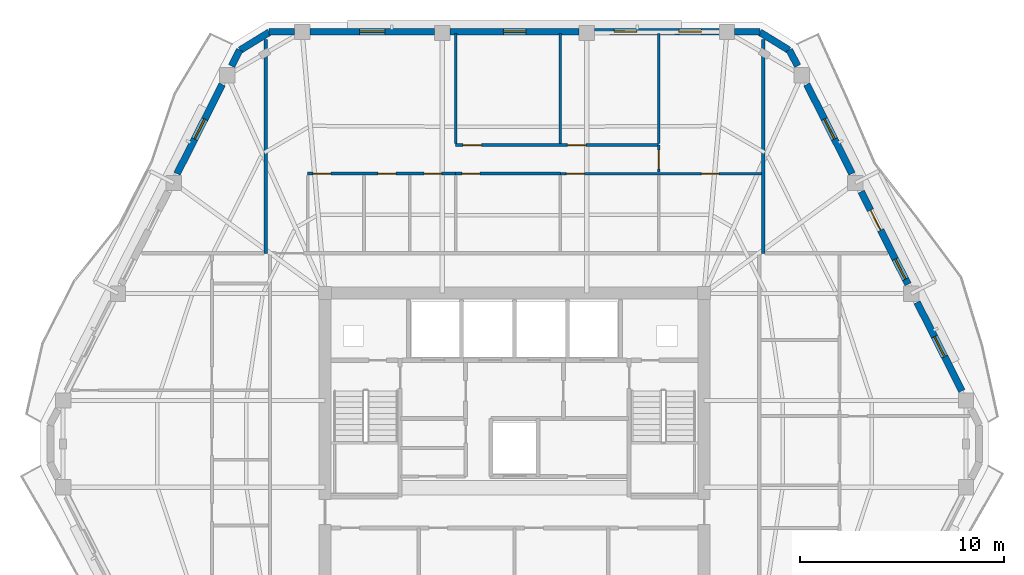
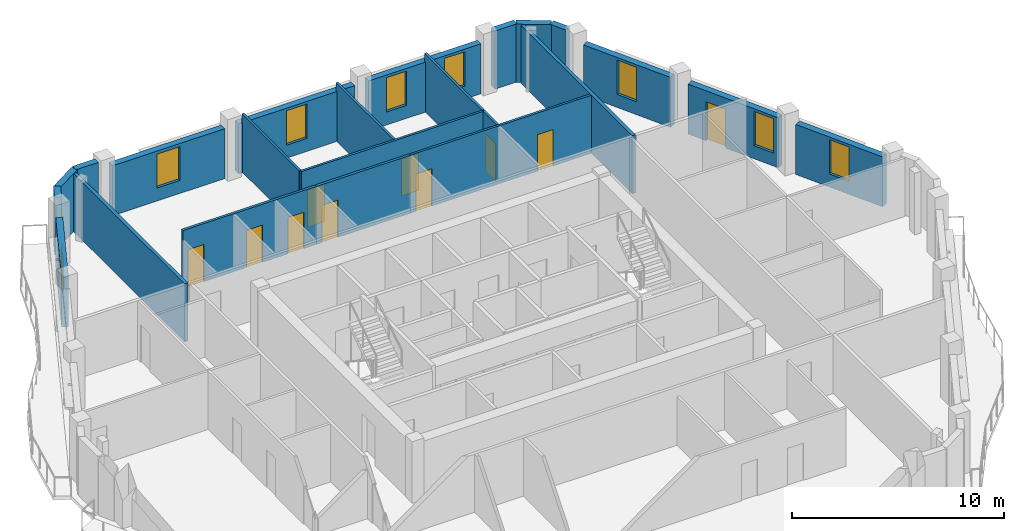
# One storey, part 7 of 12: 23 walls, 10 doors, 8 windows, 18 openings.
"""IFC4 building model written with IfcOpenShell, lengths in metres."""

from ifc_helpers import new_model, si_unit, direction, frame, frame_2d, origin, place, context, subcontext, project, spatial, rectangle, extrude, material, layer, layer_set, type_object, element, fill, save


model = new_model("IFC4")

# Units and contexts
model_context = context("Model", 3, precision=1e-05, world=origin(), true_north=direction((0.0, 1.0)))
body_context = subcontext(model_context, "Body", "Model", "MODEL_VIEW")
ifc_project = project(units=[si_unit("LENGTHUNIT", "METRE"), si_unit("AREAUNIT", "SQUARE_METRE"), si_unit("VOLUMEUNIT", "CUBIC_METRE"), si_unit("PLANEANGLEUNIT", "RADIAN"), si_unit("MASSUNIT", "GRAM", prefix="KILO")], contexts=[model_context])

# Site, building, storey
site_placement = place(None, origin())
site = spatial("IfcSite", under=ifc_project, at=site_placement, CompositionType="ELEMENT")
building_placement = place(site_placement, origin())
building = spatial("IfcBuilding", under=site, at=building_placement, Name="Cinnabar Lancet Tower", CompositionType="ELEMENT")
storey_placement = place(building_placement, frame((0.0, 0.0, 210.949951171875)))
storey = spatial("IfcBuildingStorey", under=building, at=storey_placement, Name="L56", CompositionType="ELEMENT", Elevation=210.949951171875)

# Walls
ifc_material_1 = material(Name="Fire-rated twin-frame acoustic drywall", Category="gypsum")
ifc_layer_1 = layer(ifc_material_1, 0.179931640625)
ifc_layer_set_1 = layer_set([ifc_layer_1], Name="Fire-rated twin-frame acoustic drywall")
wall_type_1 = type_object("IfcWallType", Name="ARC-WL-PARTY-180", PredefinedType="PARTITIONING", material=ifc_layer_set_1)
for number, where, z_axis, x_axis, name in (
    (1, (20.199951171875, 35.14990234375, 0.0), (0.0, 0.0, 1.0), (0.0, 1.0, 0.0), "PW-L56-NPTY-202"),
    (2, (44.60009765625, 35.14990234375, 0.0), (0.0, 0.0, 1.0), (0.0, 1.0, 0.0), "PW-L56-NPTY-446"),
):
    element("IfcWall", number, at=place(storey_placement, frame(where, z_axis=z_axis, x_axis=x_axis)), inside=storey, type_object=wall_type_1, Name=name, PredefinedType="PARTITIONING", context=body_context, shape_type="SweptSolid", body=[
        extrude(rectangle(XDim=10.482177734375, YDim=0.179931640625, at=frame_2d((5.2412109375, 0.0))), origin(), (0.0, 0.0, 1.0), 3.35009765625),
    ])

# Wall, openings, doors
ifc_material_2 = material(Name="Gypsum plasterboard stud partition", Category="gypsum")
ifc_layer_2 = layer(ifc_material_2, 0.125)
ifc_layer_set_2 = layer_set([ifc_layer_2], Name="Gypsum plasterboard stud partition")
wall_type_2 = type_object("IfcWallType", Name="ARC-WL-UNIT-125", PredefinedType="PARTITIONING", material=ifc_layer_set_2)
wall_1_placement = place(storey_placement, frame((34.64306640625, 39.06201171875, 0.0), z_axis=(0.0, 0.0, 1.0), x_axis=(1.0, 0.0, 0.0)))
wall_1 = element("IfcWall", 3, at=wall_1_placement, inside=storey, type_object=wall_type_2, Name="UW-L56-N01-SP2", PredefinedType="PARTITIONING", context=body_context, shape_type="SweptSolid", body=[
    extrude(rectangle(XDim=9.86181640625, YDim=0.125, at=frame_2d((4.930908203125, 0.0))), origin(), (0.0, 0.0, 1.0), 3.35009765625),
])
opening_1_placement = place(wall_1_placement, frame((6.919921875, 0.0, 0.0)))
opening_1 = element("IfcOpeningElement", 4, at=opening_1_placement, cuts=wall_1, Name="Opening BD-01", PredefinedType="OPENING", context=body_context, shape_type="SweptSolid", body=[
    extrude(rectangle(XDim=0.860107421875, YDim=2.10009765625, at=frame_2d((0.43017578125, 1.050048828125))), frame((0.0, 0.072509765625, 0.0), z_axis=(0.0, -1.0, 0.0), x_axis=(1.0, 0.0, 0.0)), (0.0, 0.0, 1.0), 0.14501953125),
])
opening_2_placement = place(wall_1_placement, frame((0.300048828125, 0.0, 0.0)))
opening_2 = element("IfcOpeningElement", 5, at=opening_2_placement, cuts=wall_1, Name="Opening RD-02", PredefinedType="OPENING", context=body_context, shape_type="SweptSolid", body=[
    extrude(rectangle(XDim=0.8798828125, YDim=2.14990234375, at=frame_2d((0.43994140625, 1.074951171875))), frame((0.0, 0.072509765625, 0.0), z_axis=(0.0, -1.0, 0.0), x_axis=(1.0, 0.0, 0.0)), (0.0, 0.0, 1.0), 0.14501953125),
])
ifc_material_3 = material(Name="Moisture-resistant timber bathroom door", Category="wood")
door_type_1 = type_object("IfcDoorType", Name="ARC-DR-BATH", OperationType="NOTDEFINED", PredefinedType="DOOR", material=ifc_material_3)
door_1_placement = place(opening_1_placement, origin())
door_1 = element("IfcDoor", 6, at=door_1_placement, inside=storey, type_object=door_type_1, Name="DR-L56-N01-ENS", OperationType="SINGLE_SWING_RIGHT", OverallHeight=2.10009765625, OverallWidth=0.860107421875, PredefinedType="DOOR", context=body_context, shape_type="SweptSolid", body=[
    extrude(rectangle(XDim=0.860107421875, YDim=2.10009765625, at=frame_2d((0.43017578125, 1.050048828125))), frame((0.0, 0.02490234375, 0.0), z_axis=(0.0, -1.0, 0.0), x_axis=(1.0, 0.0, 0.0)), (0.0, 0.0, 1.0), 0.050048828125),
])
fill(opening_1, door_1)
ifc_material_4 = material(Name="Engineered timber study door", Category="wood")
door_type_2 = type_object("IfcDoorType", Name="ARC-DR-STUDY", OperationType="NOTDEFINED", PredefinedType="DOOR", material=ifc_material_4)
door_2_placement = place(opening_2_placement, origin())
door_2 = element("IfcDoor", 7, at=door_2_placement, inside=storey, type_object=door_type_2, Name="DR-L56-N01-DRS", OperationType="SINGLE_SWING_LEFT", OverallHeight=2.14990234375, OverallWidth=0.8798828125, PredefinedType="DOOR", context=body_context, shape_type="SweptSolid", body=[
    extrude(rectangle(XDim=0.8798828125, YDim=2.14990234375, at=frame_2d((0.43994140625, 1.074951171875))), frame((0.0, 0.02490234375, 0.0), z_axis=(0.0, -1.0, 0.0), x_axis=(1.0, 0.0, 0.0)), (0.0, 0.0, 1.0), 0.050048828125),
])
fill(opening_2, door_2)

# Wall
wall_2_placement = place(storey_placement, frame((29.513916015625, 40.527099609375, 0.0), z_axis=(0.0, 0.0, 1.0), x_axis=(0.0, 1.0, 0.0)))
element("IfcWall", 8, at=wall_2_placement, inside=storey, type_object=wall_type_2, Name="UW-L56-N01-BD2W", PredefinedType="PARTITIONING", context=body_context, shape_type="SweptSolid", body=[
    extrude(rectangle(XDim=5.407958984375, YDim=0.125, at=frame_2d((2.7041015625, 0.0))), origin(), (0.0, 0.0, 1.0), 3.35009765625),
])

# Wall, openings, doors
wall_3_placement = place(storey_placement, frame((29.513916015625, 40.4619140625, 0.0), z_axis=(0.0, 0.0, 1.0), x_axis=(1.0, 0.0, 0.0)))
wall_3 = element("IfcWall", 9, at=wall_3_placement, inside=storey, type_object=wall_type_2, Name="UW-L56-N01-HLN", PredefinedType="PARTITIONING", context=body_context, shape_type="SweptSolid", body=[
    extrude(rectangle(XDim=9.95703125, YDim=0.125, at=frame_2d((4.978515625, 0.0))), origin(), (0.0, 0.0, 1.0), 3.35009765625),
])
opening_3_placement = place(wall_3_placement, frame((0.35009765625, 0.0, 0.0)))
opening_3 = element("IfcOpeningElement", 10, at=opening_3_placement, cuts=wall_3, Name="Opening RD-01", PredefinedType="OPENING", context=body_context, shape_type="SweptSolid", body=[
    extrude(rectangle(XDim=0.919921875, YDim=2.14990234375, at=frame_2d((0.4599609375, 1.074951171875))), frame((0.0, 0.072509765625, 0.0), z_axis=(0.0, -1.0, 0.0), x_axis=(1.0, 0.0, 0.0)), (0.0, 0.0, 1.0), 0.14501953125),
])
opening_4_placement = place(wall_3_placement, frame((5.47900390625, 0.0, 0.0)))
opening_4 = element("IfcOpeningElement", 11, at=opening_4_placement, cuts=wall_3, Name="Opening RD-01", PredefinedType="OPENING", context=body_context, shape_type="SweptSolid", body=[
    extrude(rectangle(XDim=0.919921875, YDim=2.14990234375, at=frame_2d((0.4599609375, 1.074951171875))), frame((0.0, 0.072509765625, 0.0), z_axis=(0.0, -1.0, 0.0), x_axis=(1.0, 0.0, 0.0)), (0.0, 0.0, 1.0), 0.14501953125),
])
ifc_material_5 = material(Name="Engineered timber bedroom door", Category="wood")
door_type_3 = type_object("IfcDoorType", Name="ARC-DR-ROOM", OperationType="NOTDEFINED", PredefinedType="DOOR", material=ifc_material_5)
door_3_placement = place(opening_3_placement, origin())
door_3 = element("IfcDoor", 12, at=door_3_placement, inside=storey, type_object=door_type_3, Name="DR-L56-N01-BD2", OperationType="SINGLE_SWING_RIGHT", OverallHeight=2.14990234375, OverallWidth=0.919921875, PredefinedType="DOOR", context=body_context, shape_type="SweptSolid", body=[
    extrude(rectangle(XDim=0.919921875, YDim=2.14990234375, at=frame_2d((0.4599609375, 1.074951171875))), frame((0.0, 0.02490234375, 0.0), z_axis=(0.0, -1.0, 0.0), x_axis=(1.0, 0.0, 0.0)), (0.0, 0.0, 1.0), 0.050048828125),
])
fill(opening_3, door_3)
door_4_placement = place(opening_4_placement, origin())
door_4 = element("IfcDoor", 13, at=door_4_placement, inside=storey, type_object=door_type_3, Name="DR-L56-N01-BD3", OperationType="SINGLE_SWING_LEFT", OverallHeight=2.14990234375, OverallWidth=0.919921875, PredefinedType="DOOR", context=body_context, shape_type="SweptSolid", body=[
    extrude(rectangle(XDim=0.919921875, YDim=2.14990234375, at=frame_2d((0.4599609375, 1.074951171875))), frame((0.0, 0.02490234375, 0.0), z_axis=(0.0, -1.0, 0.0), x_axis=(1.0, 0.0, 0.0)), (0.0, 0.0, 1.0), 0.050048828125),
])
fill(opening_4, door_4)

# Wall, opening, door
wall_4_placement = place(storey_placement, frame((39.470947265625, 39.132080078125, 0.0), z_axis=(0.0, 0.0, 1.0), x_axis=(0.0, 1.0, 0.0)))
wall_4 = element("IfcWall", 14, at=wall_4_placement, inside=storey, type_object=wall_type_2, Name="UW-L56-N01-MBE", PredefinedType="PARTITIONING", context=body_context, shape_type="SweptSolid", body=[
    extrude(rectangle(XDim=1.329833984375, YDim=0.125, at=frame_2d((0.6650390625, 0.0))), origin(), (0.0, 0.0, 1.0), 3.35009765625),
])
opening_5_placement = place(wall_4_placement, frame((0.159912109375, 0.0, 0.0)))
opening_5 = element("IfcOpeningElement", 15, at=opening_5_placement, cuts=wall_4, Name="Opening RD-01", PredefinedType="OPENING", context=body_context, shape_type="SweptSolid", body=[
    extrude(rectangle(XDim=0.919921875, YDim=2.14990234375, at=frame_2d((0.4599609375, 1.074951171875))), frame((0.0, 0.072509765625, 0.0), z_axis=(0.0, -1.0, 0.0), x_axis=(1.0, 0.0, 0.0)), (0.0, 0.0, 1.0), 0.14501953125),
])
door_5_placement = place(opening_5_placement, origin())
door_5 = element("IfcDoor", 16, at=door_5_placement, inside=storey, type_object=door_type_3, Name="DR-L56-N01-MBD", OperationType="SINGLE_SWING_RIGHT", OverallHeight=2.14990234375, OverallWidth=0.919921875, PredefinedType="DOOR", context=body_context, shape_type="SweptSolid", body=[
    extrude(rectangle(XDim=0.919921875, YDim=2.14990234375, at=frame_2d((0.4599609375, 1.074951171875))), frame((0.0, 0.02490234375, 0.0), z_axis=(0.0, -1.0, 0.0), x_axis=(1.0, 0.0, 0.0)), (0.0, 0.0, 1.0), 0.050048828125),
])
fill(opening_5, door_5)

# Walls
for number, where, z_axis, x_axis, name in (
    (17, (34.64306640625, 40.527099609375, 0.0), (0.0, 0.0, 1.0), (0.0, 1.0, 0.0), "UW-L56-N01-MB2W"),
    (18, (39.470947265625, 40.527099609375, 0.0), (0.0, 0.0, 1.0), (0.0, 1.0, 0.0), "UW-L56-N01-B23W"),
):
    element("IfcWall", number, at=place(storey_placement, frame(where, z_axis=z_axis, x_axis=x_axis)), inside=storey, type_object=wall_type_2, Name=name, PredefinedType="PARTITIONING", context=body_context, shape_type="SweptSolid", body=[
        extrude(rectangle(XDim=5.407958984375, YDim=0.125, at=frame_2d((2.7041015625, 0.0))), origin(), (0.0, 0.0, 1.0), 3.35009765625),
    ])

# Wall, openings, doors
ifc_material_6 = material(Name="Moisture-resistant cement-board plumbing wall", Category="masonry")
ifc_layer_3 = layer(ifc_material_6, 0.139892578125)
ifc_layer_set_3 = layer_set([ifc_layer_3], Name="Moisture-resistant cement-board plumbing wall")
wall_type_3 = type_object("IfcWallType", Name="ARC-WL-WET-140", PredefinedType="PLUMBINGWALL", material=ifc_layer_set_3)
wall_5_placement = place(storey_placement, frame((22.25, 39.06201171875, 0.0), z_axis=(0.0, 0.0, 1.0), x_axis=(1.0, 0.0, 0.0)))
wall_5 = element("IfcWall", 19, at=wall_5_placement, inside=storey, type_object=wall_type_3, Name="UW-L56-N01-SPL", PredefinedType="PLUMBINGWALL", context=body_context, shape_type="SweptSolid", body=[
    extrude(rectangle(XDim=7.263916015625, YDim=0.139892578125, at=frame_2d((3.6318359375, 0.0))), origin(), (0.0, 0.0, 1.0), 3.35009765625),
])
opening_6_placement = place(wall_5_placement, frame((5.712890625, 0.0, 0.0)))
opening_6 = element("IfcOpeningElement", 20, at=opening_6_placement, cuts=wall_5, Name="Opening BD-01", PredefinedType="OPENING", context=body_context, shape_type="SweptSolid", body=[
    extrude(rectangle(XDim=0.860107421875, YDim=2.10009765625, at=frame_2d((0.43017578125, 1.050048828125))), frame((0.0, 0.079833984375, 0.0), z_axis=(0.0, -1.0, 0.0), x_axis=(1.0, 0.0, 0.0)), (0.0, 0.0, 1.0), 0.159912109375),
])
opening_7_placement = place(wall_5_placement, frame((0.260009765625, 0.0, 0.0)))
opening_7 = element("IfcOpeningElement", 21, at=opening_7_placement, cuts=wall_5, Name="Opening RD-02", PredefinedType="OPENING", context=body_context, shape_type="SweptSolid", body=[
    extrude(rectangle(XDim=0.8798828125, YDim=2.14990234375, at=frame_2d((0.43994140625, 1.074951171875))), frame((0.0, 0.079833984375, 0.0), z_axis=(0.0, -1.0, 0.0), x_axis=(1.0, 0.0, 0.0)), (0.0, 0.0, 1.0), 0.159912109375),
])
opening_8_placement = place(wall_5_placement, frame((3.446044921875, 0.0, 0.0)))
opening_8 = element("IfcOpeningElement", 22, at=opening_8_placement, cuts=wall_5, Name="Opening RD-02", PredefinedType="OPENING", context=body_context, shape_type="SweptSolid", body=[
    extrude(rectangle(XDim=0.8798828125, YDim=2.14990234375, at=frame_2d((0.43994140625, 1.074951171875))), frame((0.0, 0.079833984375, 0.0), z_axis=(0.0, -1.0, 0.0), x_axis=(1.0, 0.0, 0.0)), (0.0, 0.0, 1.0), 0.159912109375),
])
door_6_placement = place(opening_6_placement, origin())
door_6 = element("IfcDoor", 23, at=door_6_placement, inside=storey, type_object=door_type_1, Name="DR-L56-N01-BTH", OperationType="SINGLE_SWING_RIGHT", OverallHeight=2.10009765625, OverallWidth=0.860107421875, PredefinedType="DOOR", context=body_context, shape_type="SweptSolid", body=[
    extrude(rectangle(XDim=0.860107421875, YDim=2.10009765625, at=frame_2d((0.43017578125, 1.050048828125))), frame((0.0, 0.02490234375, 0.0), z_axis=(0.0, -1.0, 0.0), x_axis=(1.0, 0.0, 0.0)), (0.0, 0.0, 1.0), 0.050048828125),
])
fill(opening_6, door_6)
door_7_placement = place(opening_7_placement, origin())
door_7 = element("IfcDoor", 24, at=door_7_placement, inside=storey, type_object=door_type_2, Name="DR-L56-N01-KIT", OperationType="SINGLE_SWING_RIGHT", OverallHeight=2.14990234375, OverallWidth=0.8798828125, PredefinedType="DOOR", context=body_context, shape_type="SweptSolid", body=[
    extrude(rectangle(XDim=0.8798828125, YDim=2.14990234375, at=frame_2d((0.43994140625, 1.074951171875))), frame((0.0, 0.02490234375, 0.0), z_axis=(0.0, -1.0, 0.0), x_axis=(1.0, 0.0, 0.0)), (0.0, 0.0, 1.0), 0.050048828125),
])
fill(opening_7, door_7)
door_8_placement = place(opening_8_placement, origin())
door_8 = element("IfcDoor", 25, at=door_8_placement, inside=storey, type_object=door_type_2, Name="DR-L56-N01-STD", OperationType="SINGLE_SWING_LEFT", OverallHeight=2.14990234375, OverallWidth=0.8798828125, PredefinedType="DOOR", context=body_context, shape_type="SweptSolid", body=[
    extrude(rectangle(XDim=0.8798828125, YDim=2.14990234375, at=frame_2d((0.43994140625, 1.074951171875))), frame((0.0, 0.02490234375, 0.0), z_axis=(0.0, -1.0, 0.0), x_axis=(1.0, 0.0, 0.0)), (0.0, 0.0, 1.0), 0.050048828125),
])
fill(opening_8, door_8)

# Wall, opening, door
wall_6_placement = place(storey_placement, frame((29.513916015625, 39.06201171875, 0.0), z_axis=(0.0, 0.0, 1.0), x_axis=(1.0, 0.0, 0.0)))
wall_6 = element("IfcWall", 26, at=wall_6_placement, inside=storey, type_object=wall_type_3, Name="UW-L56-N01-SPM", PredefinedType="PLUMBINGWALL", context=body_context, shape_type="SweptSolid", body=[
    extrude(rectangle(XDim=5.129150390625, YDim=0.139892578125, at=frame_2d((2.564453125, 0.0))), origin(), (0.0, 0.0, 1.0), 3.35009765625),
])
opening_9_placement = place(wall_6_placement, frame((0.300048828125, 0.0, 0.0)))
opening_9 = element("IfcOpeningElement", 27, at=opening_9_placement, cuts=wall_6, Name="Opening RD-02", PredefinedType="OPENING", context=body_context, shape_type="SweptSolid", body=[
    extrude(rectangle(XDim=0.8798828125, YDim=2.14990234375, at=frame_2d((0.43994140625, 1.074951171875))), frame((0.0, 0.079833984375, 0.0), z_axis=(0.0, -1.0, 0.0), x_axis=(1.0, 0.0, 0.0)), (0.0, 0.0, 1.0), 0.159912109375),
])
door_9_placement = place(opening_9_placement, origin())
door_9 = element("IfcDoor", 28, at=door_9_placement, inside=storey, type_object=door_type_2, Name="DR-L56-N01-UTL", OperationType="SINGLE_SWING_LEFT", OverallHeight=2.14990234375, OverallWidth=0.8798828125, PredefinedType="DOOR", context=body_context, shape_type="SweptSolid", body=[
    extrude(rectangle(XDim=0.8798828125, YDim=2.14990234375, at=frame_2d((0.43994140625, 1.074951171875))), frame((0.0, 0.02490234375, 0.0), z_axis=(0.0, -1.0, 0.0), x_axis=(1.0, 0.0, 0.0)), (0.0, 0.0, 1.0), 0.050048828125),
])
fill(opening_9, door_9)

# Walls
ifc_material_7 = material(Name="Cinnabar red clay brick", Category="masonry")
ifc_layer_4 = layer(ifc_material_7, 0.340087890625)
ifc_layer_set_4 = layer_set([ifc_layer_4], Name="Cinnabar red clay brick")
wall_type_4 = type_object("IfcWallType", Name="ENV-WL-BRK-RED-340", PredefinedType="STANDARD", material=ifc_layer_set_4)
for number, where, z_axis, x_axis, name in (
    (29, (45.862060546875, 45.115966796875, 0.0), (0.0, 0.0, 1.0), (-0.851713271379, 0.524008113828, 0.0), "L56 Chamfered Corner Brick Pier 4.1"),
    (30, (20.366943359375, 45.9951171875, 0.0), (0.0, 0.0, 1.0), (-0.851713271379, -0.524008113828, 0.0), "L56 Chamfered Corner Brick Pier 5.1"),
):
    element("IfcWall", number, at=place(storey_placement, frame(where, z_axis=z_axis, x_axis=x_axis)), inside=storey, type_object=wall_type_4, Name=name, PredefinedType="STANDARD", context=body_context, shape_type="SweptSolid", body=[
        extrude(rectangle(XDim=1.677734375, YDim=0.340087890625, at=frame_2d((0.8388671875, 0.0))), origin(), (0.0, 0.0, 1.0), 3.35009765625),
    ])

# Wall, opening, window
wall_7_placement = place(storey_placement, frame((54.35302734375, 28.387939453125, 0.0), z_axis=(0.0, 0.0, 1.0), x_axis=(-0.451545895749, 0.892247893824, 0.0)))
wall_7 = element("IfcWall", 31, at=wall_7_placement, inside=storey, type_object=wall_type_4, Name="L56 Face 3 Masonry Bay Wall 2", PredefinedType="STANDARD", context=body_context, shape_type="SweptSolid", body=[
    extrude(rectangle(XDim=4.885498046875, YDim=0.340087890625, at=frame_2d((2.44287109375, 0.0))), origin(), (0.0, 0.0, 1.0), 2.883056640625),
])
opening_10_placement = place(wall_7_placement, frame((1.89306640625, 0.0, 0.75)))
opening_10 = element("IfcOpeningElement", 32, at=opening_10_placement, cuts=wall_7, Name="Opening WN-04", PredefinedType="OPENING", context=body_context, shape_type="SweptSolid", body=[
    extrude(rectangle(XDim=1.10009765625, YDim=1.98291015625, at=frame_2d((0.550048828125, 0.991455078125))), frame((0.0, 0.179931640625, 0.0), z_axis=(0.0, -1.0, 0.0), x_axis=(1.0, 0.0, 0.0)), (0.0, 0.0, 1.0), 0.360107421875),
])
ifc_material_8 = material(Name="Thermally broken bronze-anodized aluminium tall lancet window", Category="aluminium")
window_type_1 = type_object("IfcWindowType", Name="ENV-WN-LANCET-1100", PartitioningType="SINGLE_PANEL", PredefinedType="WINDOW", material=ifc_material_8)
window_1_placement = place(opening_10_placement, origin())
window_1 = element("IfcWindow", 33, at=window_1_placement, inside=storey, type_object=window_type_1, Name="L56 Face 3 Gothic Lancet Window 2", OverallHeight=1.98291015625, OverallWidth=1.10009765625, PartitioningType="SINGLE_PANEL", PredefinedType="WINDOW", context=body_context, shape_type="SweptSolid", body=[
    extrude(rectangle(XDim=1.10009765625, YDim=1.98291015625, at=frame_2d((0.550048828125, 0.991455078125))), frame((0.0, 0.030029296875, 0.0), z_axis=(0.0, -1.0, 0.0), x_axis=(1.0, 0.0, 0.0)), (0.0, 0.0, 1.0), 0.06005859375),
])
fill(opening_10, window_1)

# Wall, openings, door, window
wall_8_placement = place(storey_placement, frame((51.702880859375, 33.626953125, 0.0), z_axis=(0.0, 0.0, 1.0), x_axis=(-0.451406462707, 0.892318443957, 0.0)))
wall_8 = element("IfcWall", 34, at=wall_8_placement, inside=storey, type_object=wall_type_4, Name="L56 Face 3 Masonry Bay Wall 3", PredefinedType="STANDARD", context=body_context, shape_type="SweptSolid", body=[
    extrude(rectangle(XDim=5.0947265625, YDim=0.340087890625, at=frame_2d((2.54736328125, 0.0))), origin(), (0.0, 0.0, 1.0), 2.883056640625),
])
opening_11_placement = place(wall_8_placement, frame((2.97607421875, 0.0, 0.0)))
opening_11 = element("IfcOpeningElement", 35, at=opening_11_placement, cuts=wall_8, Name="Opening TD-01", PredefinedType="OPENING", context=body_context, shape_type="SweptSolid", body=[
    extrude(rectangle(XDim=1.10009765625, YDim=2.25, at=frame_2d((0.550048828125, 1.125))), frame((0.0, 0.179931640625, 0.0), z_axis=(0.0, -1.0, 0.0), x_axis=(1.0, 0.0, 0.0)), (0.0, 0.0, 1.0), 0.360107421875),
])
opening_12_placement = place(wall_8_placement, frame((0.282958984375, 0.0, 0.75)))
opening_12 = element("IfcOpeningElement", 36, at=opening_12_placement, cuts=wall_8, Name="Opening WN-04", PredefinedType="OPENING", context=body_context, shape_type="SweptSolid", body=[
    extrude(rectangle(XDim=1.10009765625, YDim=1.98291015625, at=frame_2d((0.550048828125, 0.991455078125))), frame((0.0, 0.179931640625, 0.0), z_axis=(0.0, -1.0, 0.0), x_axis=(1.0, 0.0, 0.0)), (0.0, 0.0, 1.0), 0.360107421875),
])
ifc_material_9 = material(Name="Thermally broken low-E glazed balcony terrace door", Category="wood")
door_type_4 = type_object("IfcDoorType", Name="ARC-DR-BALC", OperationType="NOTDEFINED", PredefinedType="DOOR", material=ifc_material_9)
door_10_placement = place(opening_11_placement, origin())
door_10 = element("IfcDoor", 37, at=door_10_placement, inside=storey, type_object=door_type_4, Name="L56 Face 3 Glazed Terrace Door", OperationType="SINGLE_SWING_LEFT", OverallHeight=2.25, OverallWidth=1.10009765625, PredefinedType="DOOR", context=body_context, shape_type="SweptSolid", body=[
    extrude(rectangle(XDim=1.10009765625, YDim=2.25, at=frame_2d((0.550048828125, 1.125))), frame((0.0, 0.02490234375, 0.0), z_axis=(0.0, -1.0, 0.0), x_axis=(1.0, 0.0, 0.0)), (0.0, 0.0, 1.0), 0.050048828125),
])
fill(opening_11, door_10)
window_2_placement = place(opening_12_placement, origin())
window_2 = element("IfcWindow", 38, at=window_2_placement, inside=storey, type_object=window_type_1, Name="L56 Split-Bay Gothic Lancet Window 193", OverallHeight=1.98291015625, OverallWidth=1.10009765625, PartitioningType="SINGLE_PANEL", PredefinedType="WINDOW", context=body_context, shape_type="SweptSolid", body=[
    extrude(rectangle(XDim=1.10009765625, YDim=1.98291015625, at=frame_2d((0.550048828125, 0.991455078125))), frame((0.0, 0.030029296875, 0.0), z_axis=(0.0, -1.0, 0.0), x_axis=(1.0, 0.0, 0.0)), (0.0, 0.0, 1.0), 0.06005859375),
])
fill(opening_12, window_2)

# Wall, opening, window
wall_9_placement = place(storey_placement, frame((48.95703125, 39.054931640625, 0.0), z_axis=(0.0, 0.0, 1.0), x_axis=(-0.451524246964, 0.89225884944, 0.0)))
wall_9 = element("IfcWall", 39, at=wall_9_placement, inside=storey, type_object=wall_type_4, Name="L56 Face 3 Masonry Bay Wall 4", PredefinedType="STANDARD", context=body_context, shape_type="SweptSolid", body=[
    extrude(rectangle(XDim=4.91015625, YDim=0.340087890625, at=frame_2d((2.455078125, 0.0))), origin(), (0.0, 0.0, 1.0), 2.883056640625),
])
opening_13_placement = place(wall_9_placement, frame((1.905029296875, 0.0, 0.75)))
opening_13 = element("IfcOpeningElement", 40, at=opening_13_placement, cuts=wall_9, Name="Opening WN-04", PredefinedType="OPENING", context=body_context, shape_type="SweptSolid", body=[
    extrude(rectangle(XDim=1.10009765625, YDim=1.98291015625, at=frame_2d((0.550048828125, 0.991455078125))), frame((0.0, 0.179931640625, 0.0), z_axis=(0.0, -1.0, 0.0), x_axis=(1.0, 0.0, 0.0)), (0.0, 0.0, 1.0), 0.360107421875),
])
window_3_placement = place(opening_13_placement, origin())
window_3 = element("IfcWindow", 41, at=window_3_placement, inside=storey, type_object=window_type_1, Name="L56 Face 3 Gothic Lancet Window 4", OverallHeight=1.98291015625, OverallWidth=1.10009765625, PartitioningType="SINGLE_PANEL", PredefinedType="WINDOW", context=body_context, shape_type="SweptSolid", body=[
    extrude(rectangle(XDim=1.10009765625, YDim=1.98291015625, at=frame_2d((0.550048828125, 0.991455078125))), frame((0.0, 0.030029296875, 0.0), z_axis=(0.0, -1.0, 0.0), x_axis=(1.0, 0.0, 0.0)), (0.0, 0.0, 1.0), 0.06005859375),
])
fill(opening_13, window_3)

# Walls
wall_10_placement = place(storey_placement, frame((46.283935546875, 44.337890625, 0.0), z_axis=(0.0, 0.0, 1.0), x_axis=(-0.451487459758, 0.892277464515, 0.0)))
element("IfcWall", 42, at=wall_10_placement, inside=storey, type_object=wall_type_4, Name="L56 Face 3 Masonry Bay Wall 5", PredefinedType="STANDARD", context=body_context, shape_type="SweptSolid", body=[
    extrude(rectangle(XDim=0.89013671875, YDim=0.340087890625, at=frame_2d((0.445068359375, 0.0))), origin(), (0.0, 0.0, 1.0), 3.35009765625),
])
wall_11_placement = place(storey_placement, frame((44.43798828125, 46.02001953125, 0.0), z_axis=(0.0, 0.0, 1.0), x_axis=(-1.0, 0.0, 0.0)))
element("IfcWall", 43, at=wall_11_placement, inside=storey, type_object=wall_type_4, Name="L56 Face 4 Masonry Bay Wall 1", PredefinedType="STANDARD", context=body_context, shape_type="SweptSolid", body=[
    extrude(rectangle(XDim=1.238037109375, YDim=0.340087890625, at=frame_2d((0.619140625, 0.0))), origin(), (0.0, 0.0, 1.0), 3.35009765625),
])

# Wall, openings, windows
wall_12_placement = place(storey_placement, frame((42.44189453125, 46.02001953125, 0.0), z_axis=(0.0, 0.0, 1.0), x_axis=(-1.0, 0.0, 0.0)))
wall_12 = element("IfcWall", 44, at=wall_12_placement, inside=storey, type_object=wall_type_4, Name="L56 Face 4 Masonry Bay Wall 2", PredefinedType="STANDARD", context=body_context, shape_type="SweptSolid", body=[
    extrude(rectangle(XDim=6.119873046875, YDim=0.340087890625, at=frame_2d((3.06005859375, 0.0))), origin(), (0.0, 0.0, 1.0), 2.883056640625),
])
opening_14_placement = place(wall_12_placement, frame((0.87890625, 0.0, 0.75)))
opening_14 = element("IfcOpeningElement", 45, at=opening_14_placement, cuts=wall_12, Name="Opening WN-04", PredefinedType="OPENING", context=body_context, shape_type="SweptSolid", body=[
    extrude(rectangle(XDim=1.10009765625, YDim=1.98291015625, at=frame_2d((0.550048828125, 0.991455078125))), frame((0.0, 0.179931640625, 0.0), z_axis=(0.0, -1.0, 0.0), x_axis=(1.0, 0.0, 0.0)), (0.0, 0.0, 1.0), 0.360107421875),
])
opening_15_placement = place(wall_12_placement, frame((4.052001953125, 0.0, 0.75)))
opening_15 = element("IfcOpeningElement", 46, at=opening_15_placement, cuts=wall_12, Name="Opening WN-04", PredefinedType="OPENING", context=body_context, shape_type="SweptSolid", body=[
    extrude(rectangle(XDim=1.10009765625, YDim=1.98291015625, at=frame_2d((0.550048828125, 0.991455078125))), frame((0.0, 0.179931640625, 0.0), z_axis=(0.0, -1.0, 0.0), x_axis=(1.0, 0.0, 0.0)), (0.0, 0.0, 1.0), 0.360107421875),
])
window_4_placement = place(opening_14_placement, origin())
window_4 = element("IfcWindow", 47, at=window_4_placement, inside=storey, type_object=window_type_1, Name="L56 Face 4 Gothic Lancet Window 2", OverallHeight=1.98291015625, OverallWidth=1.10009765625, PartitioningType="SINGLE_PANEL", PredefinedType="WINDOW", context=body_context, shape_type="SweptSolid", body=[
    extrude(rectangle(XDim=1.10009765625, YDim=1.98291015625, at=frame_2d((0.550048828125, 0.991455078125))), frame((0.0, 0.030029296875, 0.0), z_axis=(0.0, -1.0, 0.0), x_axis=(1.0, 0.0, 0.0)), (0.0, 0.0, 1.0), 0.06005859375),
])
fill(opening_14, window_4)
window_5_placement = place(opening_15_placement, origin())
window_5 = element("IfcWindow", 48, at=window_5_placement, inside=storey, type_object=window_type_1, Name="L56 Split-Bay Gothic Lancet Window 194", OverallHeight=1.98291015625, OverallWidth=1.10009765625, PartitioningType="SINGLE_PANEL", PredefinedType="WINDOW", context=body_context, shape_type="SweptSolid", body=[
    extrude(rectangle(XDim=1.10009765625, YDim=1.98291015625, at=frame_2d((0.550048828125, 0.991455078125))), frame((0.0, 0.030029296875, 0.0), z_axis=(0.0, -1.0, 0.0), x_axis=(1.0, 0.0, 0.0)), (0.0, 0.0, 1.0), 0.06005859375),
])
fill(opening_15, window_5)

# Wall, opening, window
wall_13_placement = place(storey_placement, frame((35.56396484375, 46.02001953125, 0.0), z_axis=(0.0, 0.0, 1.0), x_axis=(-1.0, 0.0, 0.0)))
wall_13 = element("IfcWall", 49, at=wall_13_placement, inside=storey, type_object=wall_type_4, Name="L56 Face 4 Masonry Bay Wall 3", PredefinedType="STANDARD", context=body_context, shape_type="SweptSolid", body=[
    extrude(rectangle(XDim=6.327880859375, YDim=0.340087890625, at=frame_2d((3.1640625, 0.0))), origin(), (0.0, 0.0, 1.0), 2.883056640625),
])
opening_16_placement = place(wall_13_placement, frame((2.614013671875, 0.0, 0.75)))
opening_16 = element("IfcOpeningElement", 50, at=opening_16_placement, cuts=wall_13, Name="Opening WN-04", PredefinedType="OPENING", context=body_context, shape_type="SweptSolid", body=[
    extrude(rectangle(XDim=1.10009765625, YDim=1.98291015625, at=frame_2d((0.550048828125, 0.991455078125))), frame((0.0, 0.179931640625, 0.0), z_axis=(0.0, -1.0, 0.0), x_axis=(1.0, 0.0, 0.0)), (0.0, 0.0, 1.0), 0.360107421875),
])
window_6_placement = place(opening_16_placement, origin())
window_6 = element("IfcWindow", 51, at=window_6_placement, inside=storey, type_object=window_type_1, Name="L56 Face 4 Gothic Lancet Window 3", OverallHeight=1.98291015625, OverallWidth=1.10009765625, PartitioningType="SINGLE_PANEL", PredefinedType="WINDOW", context=body_context, shape_type="SweptSolid", body=[
    extrude(rectangle(XDim=1.10009765625, YDim=1.98291015625, at=frame_2d((0.550048828125, 0.991455078125))), frame((0.0, 0.030029296875, 0.0), z_axis=(0.0, -1.0, 0.0), x_axis=(1.0, 0.0, 0.0)), (0.0, 0.0, 1.0), 0.06005859375),
])
fill(opening_16, window_6)

wall_14_placement = place(storey_placement, frame((28.47802734375, 46.02001953125, 0.0), z_axis=(0.0, 0.0, 1.0), x_axis=(-1.0, 0.0, 0.0)))
wall_14 = element("IfcWall", 52, at=wall_14_placement, inside=storey, type_object=wall_type_4, Name="L56 Face 4 Masonry Bay Wall 4", PredefinedType="STANDARD", context=body_context, shape_type="SweptSolid", body=[
    extrude(rectangle(XDim=6.1201171875, YDim=0.340087890625, at=frame_2d((3.06005859375, 0.0))), origin(), (0.0, 0.0, 1.0), 2.883056640625),
])
opening_17_placement = place(wall_14_placement, frame((2.43505859375, 0.0, 0.75)))
opening_17 = element("IfcOpeningElement", 53, at=opening_17_placement, cuts=wall_14, Name="Opening WN-03", PredefinedType="OPENING", context=body_context, shape_type="SweptSolid", body=[
    extrude(rectangle(XDim=1.25, YDim=1.949951171875, at=frame_2d((0.625, 0.97509765625))), frame((0.0, 0.179931640625, 0.0), z_axis=(0.0, -1.0, 0.0), x_axis=(1.0, 0.0, 0.0)), (0.0, 0.0, 1.0), 0.360107421875),
])
ifc_material_10 = material(Name="Thermally broken bronze-anodized aluminium low-E double glazing", Category="aluminium")
window_type_2 = type_object("IfcWindowType", Name="ENV-WN-LANCET-1250", PartitioningType="SINGLE_PANEL", PredefinedType="WINDOW", material=ifc_material_10)
window_7_placement = place(opening_17_placement, origin())
window_7 = element("IfcWindow", 54, at=window_7_placement, inside=storey, type_object=window_type_2, Name="L56 Face 4 Gothic Lancet Window 4", OverallHeight=1.949951171875, OverallWidth=1.25, PartitioningType="SINGLE_PANEL", PredefinedType="WINDOW", context=body_context, shape_type="SweptSolid", body=[
    extrude(rectangle(XDim=1.25, YDim=1.949951171875, at=frame_2d((0.625, 0.97509765625))), frame((0.0, 0.030029296875, 0.0), z_axis=(0.0, -1.0, 0.0), x_axis=(1.0, 0.0, 0.0)), (0.0, 0.0, 1.0), 0.06005859375),
])
fill(opening_17, window_7)

# Walls
wall_15_placement = place(storey_placement, frame((21.60009765625, 46.02001953125, 0.0), z_axis=(0.0, 0.0, 1.0), x_axis=(-1.0, 0.0, 0.0)))
element("IfcWall", 55, at=wall_15_placement, inside=storey, type_object=wall_type_4, Name="L56 Face 4 Masonry Bay Wall 5", PredefinedType="STANDARD", context=body_context, shape_type="SweptSolid", body=[
    extrude(rectangle(XDim=1.238037109375, YDim=0.340087890625, at=frame_2d((0.619140625, 0.0))), origin(), (0.0, 0.0, 1.0), 3.35009765625),
])
wall_16_placement = place(storey_placement, frame((18.91796875, 45.132080078125, 0.0), z_axis=(0.0, 0.0, 1.0), x_axis=(-0.451487459758, -0.892277464515, 0.0)))
element("IfcWall", 56, at=wall_16_placement, inside=storey, type_object=wall_type_4, Name="L56 Face 5 Masonry Bay Wall 1", PredefinedType="STANDARD", context=body_context, shape_type="SweptSolid", body=[
    extrude(rectangle(XDim=0.89013671875, YDim=0.340087890625, at=frame_2d((0.445068359375, 0.0))), origin(), (0.0, 0.0, 1.0), 3.35009765625),
])

# Wall, opening, window
wall_17_placement = place(storey_placement, frame((18.06005859375, 43.43603515625, 0.0), z_axis=(0.0, 0.0, 1.0), x_axis=(-0.451524246964, -0.89225884944, 0.0)))
wall_17 = element("IfcWall", 57, at=wall_17_placement, inside=storey, type_object=wall_type_4, Name="L56 Face 5 Masonry Bay Wall 2", PredefinedType="STANDARD", context=body_context, shape_type="SweptSolid", body=[
    extrude(rectangle(XDim=4.91015625, YDim=0.340087890625, at=frame_2d((2.455078125, 0.0))), origin(), (0.0, 0.0, 1.0), 2.883056640625),
])
opening_18_placement = place(wall_17_placement, frame((1.905029296875, 0.0, 0.75)))
opening_18 = element("IfcOpeningElement", 58, at=opening_18_placement, cuts=wall_17, Name="Opening WN-04", PredefinedType="OPENING", context=body_context, shape_type="SweptSolid", body=[
    extrude(rectangle(XDim=1.10009765625, YDim=1.98291015625, at=frame_2d((0.550048828125, 0.991455078125))), frame((0.0, 0.179931640625, 0.0), z_axis=(0.0, -1.0, 0.0), x_axis=(1.0, 0.0, 0.0)), (0.0, 0.0, 1.0), 0.360107421875),
])
window_8_placement = place(opening_18_placement, origin())
window_8 = element("IfcWindow", 59, at=window_8_placement, inside=storey, type_object=window_type_1, Name="L56 Face 5 Gothic Lancet Window 2", OverallHeight=1.98291015625, OverallWidth=1.10009765625, PartitioningType="SINGLE_PANEL", PredefinedType="WINDOW", context=body_context, shape_type="SweptSolid", body=[
    extrude(rectangle(XDim=1.10009765625, YDim=1.98291015625, at=frame_2d((0.550048828125, 0.991455078125))), frame((0.0, 0.030029296875, 0.0), z_axis=(0.0, -1.0, 0.0), x_axis=(1.0, 0.0, 0.0)), (0.0, 0.0, 1.0), 0.06005859375),
])
fill(opening_18, window_8)

save(model, "model.ifc")
